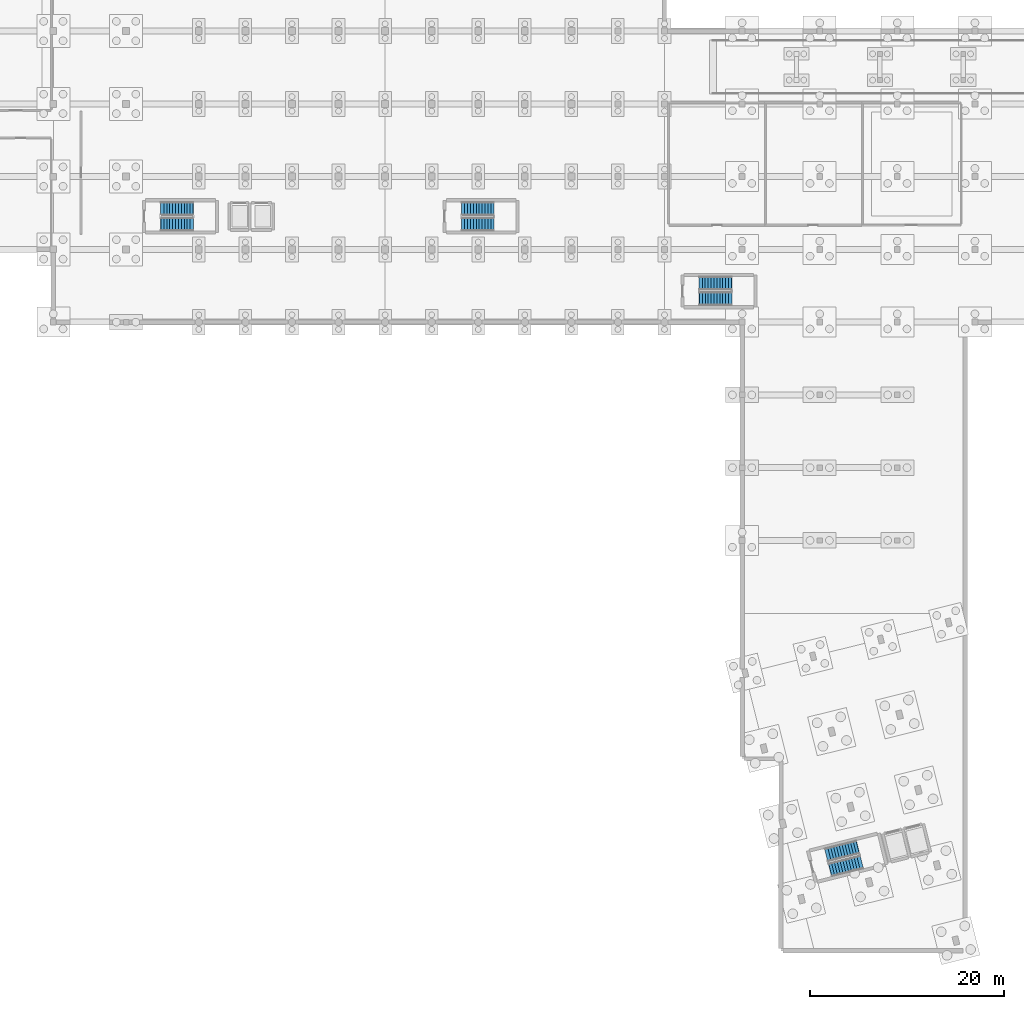
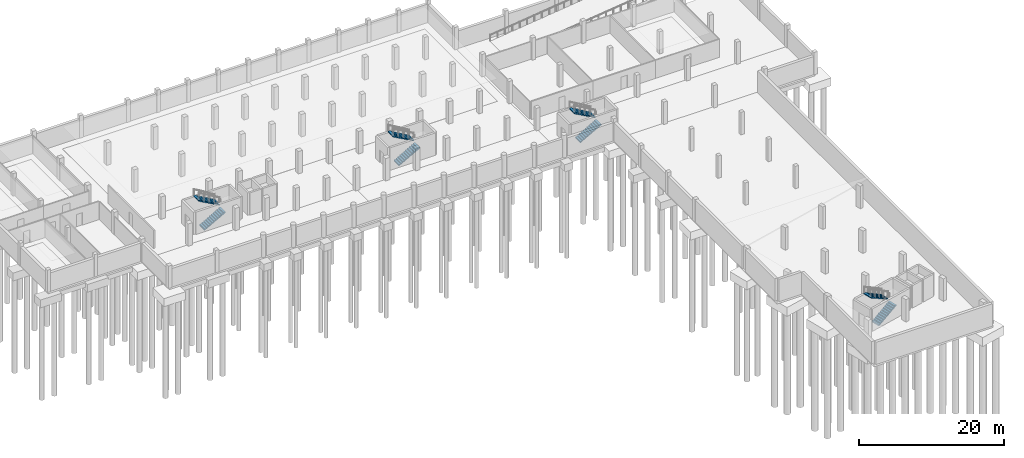
# One storey, part 10 of 17: 8 stair flights, 4 elements without a shape of their own.
"""IFC4 building model written with IfcOpenShell, lengths in metres."""

from ifc_helpers import new_model, si_unit, direction, frame, origin, place, context, subcontext, project, spatial, polyline, outline, extrude, material, layer, layer_set, type_object, element, aggregate, save


model = new_model("IFC4")

# Units and contexts
model_context = context("Model", 3, precision=1e-05, world=origin(), true_north=direction((0.0, 1.0)))
body_context = subcontext(model_context, "Body", "Model", "MODEL_VIEW")
ifc_project = project(units=[si_unit("LENGTHUNIT", "METRE"), si_unit("AREAUNIT", "SQUARE_METRE"), si_unit("VOLUMEUNIT", "CUBIC_METRE"), si_unit("PLANEANGLEUNIT", "RADIAN"), si_unit("MASSUNIT", "GRAM", prefix="KILO")], contexts=[model_context])

# Site, building, storey
site_placement = place(None, origin())
site = spatial("IfcSite", under=ifc_project, at=site_placement, CompositionType="ELEMENT")
building_placement = place(site_placement, origin())
building = spatial("IfcBuilding", under=site, at=building_placement, Name="Mawjan Specialist Oncology Clinic", CompositionType="ELEMENT")
storey_placement = place(building_placement, frame((0.0, 0.0, -4.199951171875)))
storey = spatial("IfcBuildingStorey", under=building, at=storey_placement, Name="B01", CompositionType="ELEMENT", Elevation=-4.199951171875)

# Stair, stair flights
ifc_material_1 = material(Name="Concrete C35/45", Category="concrete")
stair_type = type_object("IfcStairType", Name="STR-CORE42", PredefinedType="HALF_TURN_STAIR", material=ifc_material_1)
stair_1_placement = place(storey_placement, origin())
stair_1 = element("IfcStair", 1, at=stair_1_placement, inside=storey, type_object=stair_type, Name="B01 Exit Stair ST-03", PredefinedType="HALF_TURN_STAIR")
ifc_material_2 = material(Name="Concrete C35/45", Category="concrete")
ifc_layer = layer(ifc_material_2, 0.14990234375, Name="Concrete C35/45", Category="concrete")
ifc_layer_set = layer_set([ifc_layer], Name="Concrete C35/45")
stair_flight_type = type_object("IfcStairFlightType", Name="FLT-CORE42", PredefinedType="STRAIGHT", material=ifc_layer_set)
stair_flight_1_placement = place(storey_placement, frame((56.10009765625, 85.89990234375, 0.0), z_axis=(0.0, 0.0, 1.0), x_axis=(1.0, 0.0, 0.0)))
stair_flight_1 = element("IfcStairFlight", 2, at=stair_flight_1_placement, type_object=stair_flight_type, Name="ST-03 flight 1", NumberOfRisers=12, NumberOfTreads=11, PredefinedType="STRAIGHT", RiserHeight=0.175, TreadLength=0.3, context=body_context, shape_type="SweptSolid", body=[
    extrude(outline(polyline([(-0.044921875, -0.0400390625), (-0.044921875, 0.0), (0.0, 0.0), (0.0, 0.175048828125), (0.300048828125, 0.175048828125), (0.300048828125, 0.35009765625), (0.60009765625, 0.35009765625), (0.60009765625, 0.52490234375), (0.89990234375, 0.52490234375), (0.89990234375, 0.699951171875), (1.199951171875, 0.699951171875), (1.199951171875, 0.875), (1.5, 0.875), (1.5, 1.050048828125), (1.800048828125, 1.050048828125), (1.800048828125, 1.22509765625), (2.10009765625, 1.22509765625), (2.10009765625, 1.39990234375), (2.39990234375, 1.39990234375), (2.39990234375, 1.574951171875), (2.699951171875, 1.574951171875), (2.699951171875, 1.75), (3.0, 1.75), (3.0, 1.925048828125), (3.300048828125, 1.925048828125), (3.344970703125, 1.925048828125), (3.344970703125, 1.775146484375), (0.044921875, -0.0400390625), (-0.044921875, -0.0400390625)])), frame((0.0, 0.699951171875, 0.0), z_axis=(0.0, -1.0, 0.0), x_axis=(1.0, 0.0, 0.0)), (0.0, 0.0, 1.0), 1.39990234375),
])
stair_flight_2_placement = place(storey_placement, frame((59.39990234375, 87.5, 2.099853515625), z_axis=(0.0, 0.0, 1.0), x_axis=(-1.0, 0.0, 0.0)))
stair_flight_2 = element("IfcStairFlight", 3, at=stair_flight_2_placement, type_object=stair_flight_type, Name="ST-03 flight 2", NumberOfRisers=12, NumberOfTreads=11, PredefinedType="STRAIGHT", RiserHeight=0.175, TreadLength=0.3, context=body_context, shape_type="SweptSolid", body=[
    extrude(outline(polyline([(-0.044921875, -0.0400390625), (-0.044921875, 0.0), (0.0, 0.0), (0.0, 0.175048828125), (0.300048828125, 0.175048828125), (0.300048828125, 0.35009765625), (0.60009765625, 0.35009765625), (0.60009765625, 0.52490234375), (0.89990234375, 0.52490234375), (0.89990234375, 0.699951171875), (1.199951171875, 0.699951171875), (1.199951171875, 0.875), (1.5, 0.875), (1.5, 1.050048828125), (1.800048828125, 1.050048828125), (1.800048828125, 1.22509765625), (2.10009765625, 1.22509765625), (2.10009765625, 1.39990234375), (2.39990234375, 1.39990234375), (2.39990234375, 1.574951171875), (2.699951171875, 1.574951171875), (2.699951171875, 1.75), (3.0, 1.75), (3.0, 1.925048828125), (3.300048828125, 1.925048828125), (3.344970703125, 1.925048828125), (3.344970703125, 1.775146484375), (0.044921875, -0.0400390625), (-0.044921875, -0.0400390625)])), frame((0.0, 0.699951171875, 0.0), z_axis=(0.0, -1.0, 0.0), x_axis=(1.0, 0.0, 0.0)), (0.0, 0.0, 1.0), 1.39990234375),
])
aggregate(stair_1, [stair_flight_1, stair_flight_2])

stair_2_placement = place(storey_placement, origin())
stair_2 = element("IfcStair", 4, at=stair_2_placement, inside=storey, type_object=stair_type, Name="B01 Exit Stair ST-04", PredefinedType="HALF_TURN_STAIR")
stair_flight_3_placement = place(storey_placement, frame((87.10009765625, 85.89990234375, 0.0), z_axis=(0.0, 0.0, 1.0), x_axis=(1.0, 0.0, 0.0)))
stair_flight_3 = element("IfcStairFlight", 5, at=stair_flight_3_placement, type_object=stair_flight_type, Name="ST-04 flight 1", NumberOfRisers=12, NumberOfTreads=11, PredefinedType="STRAIGHT", RiserHeight=0.175, TreadLength=0.3, context=body_context, shape_type="SweptSolid", body=[
    extrude(outline(polyline([(-0.044921875, -0.0400390625), (-0.044921875, 0.0), (0.0, 0.0), (0.0, 0.175048828125), (0.300048828125, 0.175048828125), (0.300048828125, 0.35009765625), (0.60009765625, 0.35009765625), (0.60009765625, 0.52490234375), (0.89990234375, 0.52490234375), (0.89990234375, 0.699951171875), (1.199951171875, 0.699951171875), (1.199951171875, 0.875), (1.5, 0.875), (1.5, 1.050048828125), (1.800048828125, 1.050048828125), (1.800048828125, 1.22509765625), (2.10009765625, 1.22509765625), (2.10009765625, 1.39990234375), (2.39990234375, 1.39990234375), (2.39990234375, 1.574951171875), (2.699951171875, 1.574951171875), (2.699951171875, 1.75), (3.0, 1.75), (3.0, 1.925048828125), (3.300048828125, 1.925048828125), (3.344970703125, 1.925048828125), (3.344970703125, 1.775146484375), (0.044921875, -0.0400390625), (-0.044921875, -0.0400390625)])), frame((0.0, 0.699951171875, 0.0), z_axis=(0.0, -1.0, 0.0), x_axis=(1.0, 0.0, 0.0)), (0.0, 0.0, 1.0), 1.39990234375),
])
stair_flight_4_placement = place(storey_placement, frame((90.39990234375, 87.5, 2.099853515625), z_axis=(0.0, 0.0, 1.0), x_axis=(-1.0, 0.0, 0.0)))
stair_flight_4 = element("IfcStairFlight", 6, at=stair_flight_4_placement, type_object=stair_flight_type, Name="ST-04 flight 2", NumberOfRisers=12, NumberOfTreads=11, PredefinedType="STRAIGHT", RiserHeight=0.175, TreadLength=0.3, context=body_context, shape_type="SweptSolid", body=[
    extrude(outline(polyline([(-0.044921875, -0.0400390625), (-0.044921875, 0.0), (0.0, 0.0), (0.0, 0.175048828125), (0.300048828125, 0.175048828125), (0.300048828125, 0.35009765625), (0.60009765625, 0.35009765625), (0.60009765625, 0.52490234375), (0.89990234375, 0.52490234375), (0.89990234375, 0.699951171875), (1.199951171875, 0.699951171875), (1.199951171875, 0.875), (1.5, 0.875), (1.5, 1.050048828125), (1.800048828125, 1.050048828125), (1.800048828125, 1.22509765625), (2.10009765625, 1.22509765625), (2.10009765625, 1.39990234375), (2.39990234375, 1.39990234375), (2.39990234375, 1.574951171875), (2.699951171875, 1.574951171875), (2.699951171875, 1.75), (3.0, 1.75), (3.0, 1.925048828125), (3.300048828125, 1.925048828125), (3.344970703125, 1.925048828125), (3.344970703125, 1.775146484375), (0.044921875, -0.0400390625), (-0.044921875, -0.0400390625)])), frame((0.0, 0.699951171875, 0.0), z_axis=(0.0, -1.0, 0.0), x_axis=(1.0, 0.0, 0.0)), (0.0, 0.0, 1.0), 1.39990234375),
])
aggregate(stair_2, [stair_flight_3, stair_flight_4])

stair_3_placement = place(storey_placement, origin())
stair_3 = element("IfcStair", 7, at=stair_3_placement, inside=storey, type_object=stair_type, Name="B01 Exit Stair ST-05", PredefinedType="HALF_TURN_STAIR")
stair_flight_5_placement = place(storey_placement, frame((125.090087890625, 19.330322265625, 0.0), z_axis=(0.0, 0.0, 1.0), x_axis=(0.970295726276, 0.2419218956, 0.0)))
stair_flight_5 = element("IfcStairFlight", 8, at=stair_flight_5_placement, type_object=stair_flight_type, Name="ST-05 flight 1", NumberOfRisers=12, NumberOfTreads=11, PredefinedType="STRAIGHT", RiserHeight=0.175, TreadLength=0.3, context=body_context, shape_type="SweptSolid", body=[
    extrude(outline(polyline([(-0.044921875, -0.0400390625), (-0.044921875, 0.0), (0.0, 0.0), (0.0, 0.175048828125), (0.300048828125, 0.175048828125), (0.300048828125, 0.35009765625), (0.60009765625, 0.35009765625), (0.60009765625, 0.52490234375), (0.89990234375, 0.52490234375), (0.89990234375, 0.699951171875), (1.199951171875, 0.699951171875), (1.199951171875, 0.875), (1.5, 0.875), (1.5, 1.050048828125), (1.800048828125, 1.050048828125), (1.800048828125, 1.22509765625), (2.10009765625, 1.22509765625), (2.10009765625, 1.39990234375), (2.39990234375, 1.39990234375), (2.39990234375, 1.574951171875), (2.699951171875, 1.574951171875), (2.699951171875, 1.75), (3.0, 1.75), (3.0, 1.925048828125), (3.300048828125, 1.925048828125), (3.344970703125, 1.925048828125), (3.344970703125, 1.775146484375), (0.044921875, -0.0400390625), (-0.044921875, -0.0400390625)])), frame((0.0, 0.699951171875, 0.0), z_axis=(0.0, -1.0, 0.0), x_axis=(1.0, 0.0, 0.0)), (0.0, 0.0, 1.0), 1.39990234375),
])
stair_flight_6_placement = place(storey_placement, frame((127.905029296875, 21.68115234375, 2.099853515625), z_axis=(0.0, 0.0, 1.0), x_axis=(-0.970295726276, -0.2419218956, 0.0)))
stair_flight_6 = element("IfcStairFlight", 9, at=stair_flight_6_placement, type_object=stair_flight_type, Name="ST-05 flight 2", NumberOfRisers=12, NumberOfTreads=11, PredefinedType="STRAIGHT", RiserHeight=0.175, TreadLength=0.3, context=body_context, shape_type="SweptSolid", body=[
    extrude(outline(polyline([(-0.044921875, -0.0400390625), (-0.044921875, 0.0), (0.0, 0.0), (0.0, 0.175048828125), (0.300048828125, 0.175048828125), (0.300048828125, 0.35009765625), (0.60009765625, 0.35009765625), (0.60009765625, 0.52490234375), (0.89990234375, 0.52490234375), (0.89990234375, 0.699951171875), (1.199951171875, 0.699951171875), (1.199951171875, 0.875), (1.5, 0.875), (1.5, 1.050048828125), (1.800048828125, 1.050048828125), (1.800048828125, 1.22509765625), (2.10009765625, 1.22509765625), (2.10009765625, 1.39990234375), (2.39990234375, 1.39990234375), (2.39990234375, 1.574951171875), (2.699951171875, 1.574951171875), (2.699951171875, 1.75), (3.0, 1.75), (3.0, 1.925048828125), (3.300048828125, 1.925048828125), (3.344970703125, 1.925048828125), (3.344970703125, 1.775146484375), (0.044921875, -0.0400390625), (-0.044921875, -0.0400390625)])), frame((0.0, 0.699951171875, 0.0), z_axis=(0.0, -1.0, 0.0), x_axis=(1.0, 0.0, 0.0)), (0.0, 0.0, 1.0), 1.39990234375),
])
aggregate(stair_3, [stair_flight_5, stair_flight_6])

stair_4_placement = place(storey_placement, origin())
stair_4 = element("IfcStair", 10, at=stair_4_placement, inside=storey, type_object=stair_type, Name="B01 Exit Stair ST-08", PredefinedType="HALF_TURN_STAIR")
stair_flight_7_placement = place(storey_placement, frame((111.60009765625, 78.199951171875, 0.0), z_axis=(0.0, 0.0, 1.0), x_axis=(1.0, 0.0, 0.0)))
stair_flight_7 = element("IfcStairFlight", 11, at=stair_flight_7_placement, type_object=stair_flight_type, Name="ST-08 flight 1", NumberOfRisers=12, NumberOfTreads=11, PredefinedType="STRAIGHT", RiserHeight=0.175, TreadLength=0.3, context=body_context, shape_type="SweptSolid", body=[
    extrude(outline(polyline([(-0.044921875, -0.0400390625), (-0.044921875, 0.0), (0.0, 0.0), (0.0, 0.175048828125), (0.300048828125, 0.175048828125), (0.300048828125, 0.35009765625), (0.60009765625, 0.35009765625), (0.60009765625, 0.52490234375), (0.89990234375, 0.52490234375), (0.89990234375, 0.699951171875), (1.199951171875, 0.699951171875), (1.199951171875, 0.875), (1.5, 0.875), (1.5, 1.050048828125), (1.800048828125, 1.050048828125), (1.800048828125, 1.22509765625), (2.10009765625, 1.22509765625), (2.10009765625, 1.39990234375), (2.39990234375, 1.39990234375), (2.39990234375, 1.574951171875), (2.699951171875, 1.574951171875), (2.699951171875, 1.75), (3.0, 1.75), (3.0, 1.925048828125), (3.300048828125, 1.925048828125), (3.344970703125, 1.925048828125), (3.344970703125, 1.775146484375), (0.044921875, -0.0400390625), (-0.044921875, -0.0400390625)])), frame((0.0, 0.699951171875, 0.0), z_axis=(0.0, -1.0, 0.0), x_axis=(1.0, 0.0, 0.0)), (0.0, 0.0, 1.0), 1.39990234375),
])
stair_flight_8_placement = place(storey_placement, frame((114.89990234375, 79.800048828125, 2.099853515625), z_axis=(0.0, 0.0, 1.0), x_axis=(-1.0, 0.0, 0.0)))
stair_flight_8 = element("IfcStairFlight", 12, at=stair_flight_8_placement, type_object=stair_flight_type, Name="ST-08 flight 2", NumberOfRisers=12, NumberOfTreads=11, PredefinedType="STRAIGHT", RiserHeight=0.175, TreadLength=0.3, context=body_context, shape_type="SweptSolid", body=[
    extrude(outline(polyline([(-0.044921875, -0.0400390625), (-0.044921875, 0.0), (0.0, 0.0), (0.0, 0.175048828125), (0.300048828125, 0.175048828125), (0.300048828125, 0.35009765625), (0.60009765625, 0.35009765625), (0.60009765625, 0.52490234375), (0.89990234375, 0.52490234375), (0.89990234375, 0.699951171875), (1.199951171875, 0.699951171875), (1.199951171875, 0.875), (1.5, 0.875), (1.5, 1.050048828125), (1.800048828125, 1.050048828125), (1.800048828125, 1.22509765625), (2.10009765625, 1.22509765625), (2.10009765625, 1.39990234375), (2.39990234375, 1.39990234375), (2.39990234375, 1.574951171875), (2.699951171875, 1.574951171875), (2.699951171875, 1.75), (3.0, 1.75), (3.0, 1.925048828125), (3.300048828125, 1.925048828125), (3.344970703125, 1.925048828125), (3.344970703125, 1.775146484375), (0.044921875, -0.0400390625), (-0.044921875, -0.0400390625)])), frame((0.0, 0.699951171875, 0.0), z_axis=(0.0, -1.0, 0.0), x_axis=(1.0, 0.0, 0.0)), (0.0, 0.0, 1.0), 1.39990234375),
])
aggregate(stair_4, [stair_flight_7, stair_flight_8])

save(model, "model.ifc")
